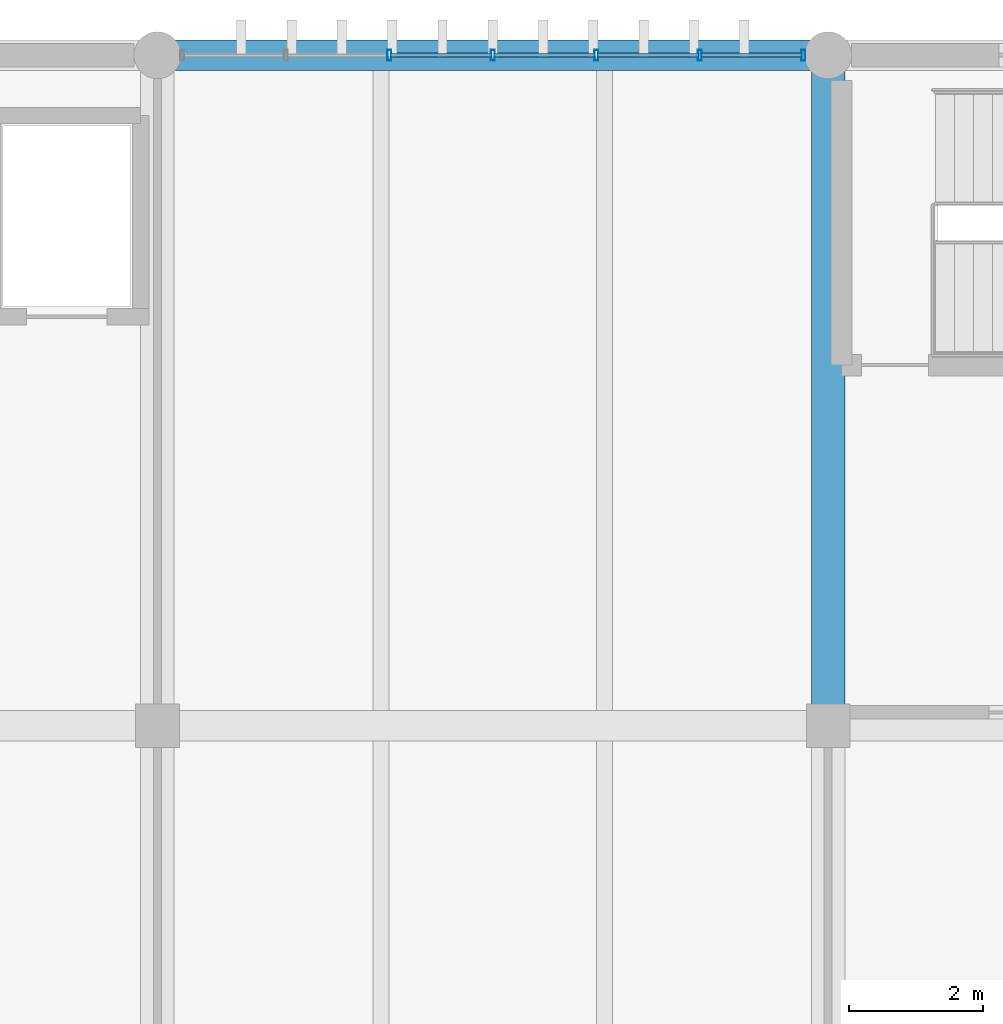
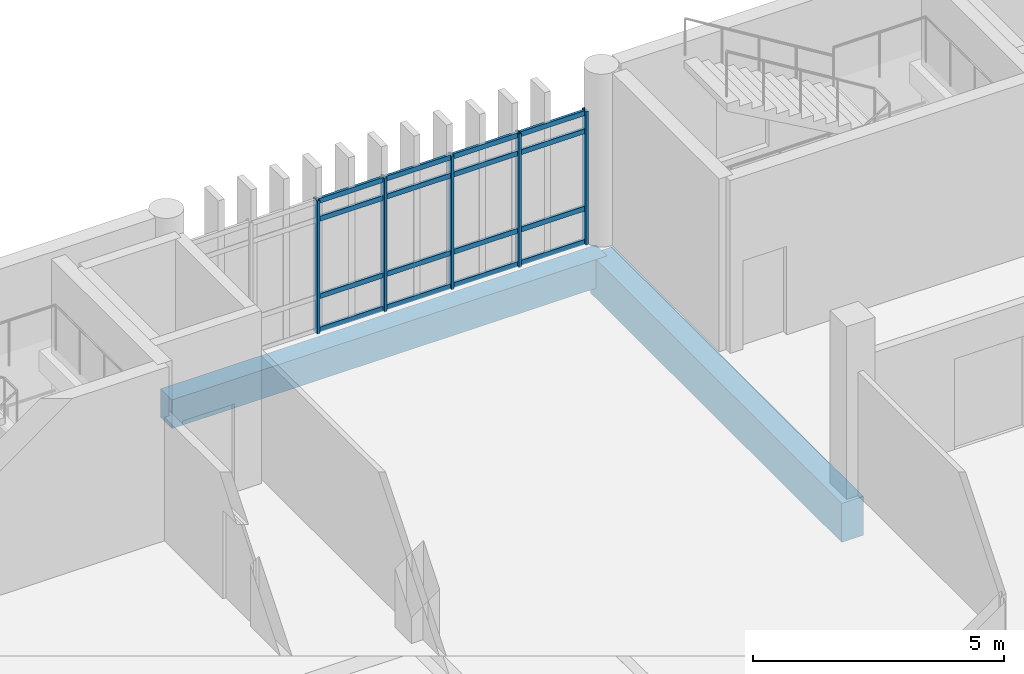
# One storey, part 39 of 82: 21 members, 2 beams, 1 element without a shape of its own.
"""IFC4 building model written with IfcOpenShell, lengths in metres."""

from ifc_helpers import new_model, si_unit, direction, frame, origin, origin_2d, place, context, subcontext, project, spatial, rectangle, hollow_rectangle, extrude, material, layer, layer_set, material_profile, profile_set, type_object, element, aggregate, save


model = new_model("IFC4")

# Units and contexts
model_context = context("Model", 3, precision=1e-05, world=origin(), true_north=direction((0.0, 1.0)))
body_context = subcontext(model_context, "Body", "Model", "MODEL_VIEW")
ifc_project = project(units=[si_unit("LENGTHUNIT", "METRE"), si_unit("AREAUNIT", "SQUARE_METRE"), si_unit("VOLUMEUNIT", "CUBIC_METRE"), si_unit("PLANEANGLEUNIT", "RADIAN"), si_unit("MASSUNIT", "GRAM", prefix="KILO")], contexts=[model_context])

# Site, building, storey
site_placement = place(None, origin())
site = spatial("IfcSite", under=ifc_project, at=site_placement, CompositionType="ELEMENT")
building_placement = place(site_placement, origin())
building = spatial("IfcBuilding", under=site, at=building_placement, Name="Mersad Railyard Sports Hall", CompositionType="ELEMENT")
storey_placement = place(building_placement, frame((0.0, 0.0, 13.199951171875)))
storey = spatial("IfcBuildingStorey", under=building, at=storey_placement, Name="L03", CompositionType="ELEMENT", Elevation=13.199951171875)

# Curtain wall, members
ifc_material_1 = material(Name="Aluminium 6063-T6", Category="aluminium")
ifc_layer = layer(ifc_material_1, 0.159912109375)
ifc_layer_set = layer_set([ifc_layer], Name="Aluminium 6063-T6")
curtain_wall_type = type_object("IfcCurtainWallType", Name="ARC-CW-CW58", PredefinedType="USERDEFINED", material=ifc_layer_set)
curtain_wall_placement = place(storey_placement, origin())
curtain_wall = element("IfcCurtainWall", 1, at=curtain_wall_placement, inside=storey, type_object=curtain_wall_type, Name="Curtain wall CW58-0153", ObjectType="CURTAIN WALL", PredefinedType="USERDEFINED")
ifc_material_profile_1 = material_profile(ifc_material_1, hollow_rectangle(XDim=0.06005859375, YDim=0.159912109375, WallThickness=0.00390625, at=origin_2d()), Name="AL MULLION 60x160x4")
ifc_profile_set_1 = profile_set([ifc_material_profile_1], Name="Aluminium 6063-T6")
member_type_1 = type_object("IfcMemberType", Name="ARC-CW-MUL01", PredefinedType="MULLION", material=ifc_profile_set_1)
member_1_placement = place(storey_placement, frame((104.456787109375, 115.0, -0.02001953125), z_axis=(0.0, 0.0, 1.0), x_axis=(1.0, 0.0, 0.0)))
member_1 = element("IfcMember", 2, at=member_1_placement, type_object=member_type_1, Name="CW58 Mullion 3", PredefinedType="MULLION", context=body_context, shape_type="SweptSolid", body=[
    extrude(hollow_rectangle(XDim=0.06005859375, YDim=0.159912109375, WallThickness=0.00390625, at=origin_2d()), origin(), (0.0, 0.0, 1.0), 3.25),
])
member_2_placement = place(storey_placement, frame((106.0, 115.0, -0.02001953125), z_axis=(0.0, 0.0, 1.0), x_axis=(1.0, 0.0, 0.0)))
member_2 = element("IfcMember", 3, at=member_2_placement, type_object=member_type_1, Name="CW58 Mullion 4", PredefinedType="MULLION", context=body_context, shape_type="SweptSolid", body=[
    extrude(hollow_rectangle(XDim=0.06005859375, YDim=0.159912109375, WallThickness=0.00390625, at=origin_2d()), origin(), (0.0, 0.0, 1.0), 3.25),
])
member_3_placement = place(storey_placement, frame((107.543212890625, 115.0, -0.02001953125), z_axis=(0.0, 0.0, 1.0), x_axis=(1.0, 0.0, 0.0)))
member_3 = element("IfcMember", 4, at=member_3_placement, type_object=member_type_1, Name="CW58 Mullion 5", PredefinedType="MULLION", context=body_context, shape_type="SweptSolid", body=[
    extrude(hollow_rectangle(XDim=0.06005859375, YDim=0.159912109375, WallThickness=0.00390625, at=origin_2d()), origin(), (0.0, 0.0, 1.0), 3.25),
])
member_4_placement = place(storey_placement, frame((109.086669921875, 115.0, -0.02001953125), z_axis=(0.0, 0.0, 1.0), x_axis=(1.0, 0.0, 0.0)))
member_4 = element("IfcMember", 5, at=member_4_placement, type_object=member_type_1, Name="CW58 Mullion 6", PredefinedType="MULLION", context=body_context, shape_type="SweptSolid", body=[
    extrude(hollow_rectangle(XDim=0.06005859375, YDim=0.159912109375, WallThickness=0.00390625, at=origin_2d()), origin(), (0.0, 0.0, 1.0), 3.25),
])
member_5_placement = place(storey_placement, frame((110.6298828125, 115.0, -0.02001953125), z_axis=(0.0, 0.0, 1.0), x_axis=(1.0, 0.0, 0.0)))
member_5 = element("IfcMember", 6, at=member_5_placement, type_object=member_type_1, Name="CW58 Mullion 7", PredefinedType="MULLION", context=body_context, shape_type="SweptSolid", body=[
    extrude(hollow_rectangle(XDim=0.06005859375, YDim=0.159912109375, WallThickness=0.00390625, at=origin_2d()), origin(), (0.0, 0.0, 1.0), 3.25),
])
ifc_material_profile_2 = material_profile(ifc_material_1, hollow_rectangle(XDim=0.06005859375, YDim=0.1201171875, WallThickness=0.00390625, at=origin_2d()), Name="AL TRANSOM 60x120x4")
ifc_profile_set_2 = profile_set([ifc_material_profile_2], Name="Aluminium 6063-T6")
member_type_2 = type_object("IfcMemberType", Name="ARC-CW-TRN01", PredefinedType="USERDEFINED", material=ifc_profile_set_2)
member_6_placement = place(storey_placement, frame((104.4765625, 115.0, 0.0400390625), z_axis=(1.0, 0.0, 0.0), x_axis=(0.0, 1.0, 0.0)))
member_6 = element("IfcMember", 7, at=member_6_placement, type_object=member_type_2, Name="CW58 Transom 1-3", ObjectType="TRANSOM", PredefinedType="USERDEFINED", context=body_context, shape_type="SweptSolid", body=[
    extrude(hollow_rectangle(XDim=0.06005859375, YDim=0.1201171875, WallThickness=0.00390625, at=origin_2d()), origin(), (0.0, 0.0, 1.0), 1.50341796875),
])
member_7_placement = place(storey_placement, frame((106.02001953125, 115.0, 0.0400390625), z_axis=(1.0, 0.0, 0.0), x_axis=(0.0, 1.0, 0.0)))
member_7 = element("IfcMember", 8, at=member_7_placement, type_object=member_type_2, Name="CW58 Transom 1-4", ObjectType="TRANSOM", PredefinedType="USERDEFINED", context=body_context, shape_type="SweptSolid", body=[
    extrude(hollow_rectangle(XDim=0.06005859375, YDim=0.1201171875, WallThickness=0.00390625, at=origin_2d()), origin(), (0.0, 0.0, 1.0), 1.50341796875),
])
member_8_placement = place(storey_placement, frame((107.563232421875, 115.0, 0.0400390625), z_axis=(1.0, 0.0, 0.0), x_axis=(0.0, 1.0, 0.0)))
member_8 = element("IfcMember", 9, at=member_8_placement, type_object=member_type_2, Name="CW58 Transom 1-5", ObjectType="TRANSOM", PredefinedType="USERDEFINED", context=body_context, shape_type="SweptSolid", body=[
    extrude(hollow_rectangle(XDim=0.06005859375, YDim=0.1201171875, WallThickness=0.00390625, at=origin_2d()), origin(), (0.0, 0.0, 1.0), 1.50341796875),
])
member_9_placement = place(storey_placement, frame((109.106689453125, 115.0, 0.0400390625), z_axis=(1.0, 0.0, 0.0), x_axis=(0.0, 1.0, 0.0)))
member_9 = element("IfcMember", 10, at=member_9_placement, type_object=member_type_2, Name="CW58 Transom 1-6", ObjectType="TRANSOM", PredefinedType="USERDEFINED", context=body_context, shape_type="SweptSolid", body=[
    extrude(hollow_rectangle(XDim=0.06005859375, YDim=0.1201171875, WallThickness=0.00390625, at=origin_2d()), origin(), (0.0, 0.0, 1.0), 1.50341796875),
])
member_10_placement = place(storey_placement, frame((104.4765625, 115.0, 0.85009765625), z_axis=(1.0, 0.0, 0.0), x_axis=(0.0, 1.0, 0.0)))
member_10 = element("IfcMember", 11, at=member_10_placement, type_object=member_type_2, Name="CW58 Transom 2-3", ObjectType="TRANSOM", PredefinedType="USERDEFINED", context=body_context, shape_type="SweptSolid", body=[
    extrude(hollow_rectangle(XDim=0.06005859375, YDim=0.1201171875, WallThickness=0.00390625, at=origin_2d()), origin(), (0.0, 0.0, 1.0), 1.50341796875),
])
member_11_placement = place(storey_placement, frame((106.02001953125, 115.0, 0.85009765625), z_axis=(1.0, 0.0, 0.0), x_axis=(0.0, 1.0, 0.0)))
member_11 = element("IfcMember", 12, at=member_11_placement, type_object=member_type_2, Name="CW58 Transom 2-4", ObjectType="TRANSOM", PredefinedType="USERDEFINED", context=body_context, shape_type="SweptSolid", body=[
    extrude(hollow_rectangle(XDim=0.06005859375, YDim=0.1201171875, WallThickness=0.00390625, at=origin_2d()), origin(), (0.0, 0.0, 1.0), 1.50341796875),
])
member_12_placement = place(storey_placement, frame((107.563232421875, 115.0, 0.85009765625), z_axis=(1.0, 0.0, 0.0), x_axis=(0.0, 1.0, 0.0)))
member_12 = element("IfcMember", 13, at=member_12_placement, type_object=member_type_2, Name="CW58 Transom 2-5", ObjectType="TRANSOM", PredefinedType="USERDEFINED", context=body_context, shape_type="SweptSolid", body=[
    extrude(hollow_rectangle(XDim=0.06005859375, YDim=0.1201171875, WallThickness=0.00390625, at=origin_2d()), origin(), (0.0, 0.0, 1.0), 1.50341796875),
])
member_13_placement = place(storey_placement, frame((109.106689453125, 115.0, 0.85009765625), z_axis=(1.0, 0.0, 0.0), x_axis=(0.0, 1.0, 0.0)))
member_13 = element("IfcMember", 14, at=member_13_placement, type_object=member_type_2, Name="CW58 Transom 2-6", ObjectType="TRANSOM", PredefinedType="USERDEFINED", context=body_context, shape_type="SweptSolid", body=[
    extrude(hollow_rectangle(XDim=0.06005859375, YDim=0.1201171875, WallThickness=0.00390625, at=origin_2d()), origin(), (0.0, 0.0, 1.0), 1.50341796875),
])
member_14_placement = place(storey_placement, frame((104.4765625, 115.0, 2.72998046875), z_axis=(1.0, 0.0, 0.0), x_axis=(0.0, 1.0, 0.0)))
member_14 = element("IfcMember", 15, at=member_14_placement, type_object=member_type_2, Name="CW58 Transom 3-3", ObjectType="TRANSOM", PredefinedType="USERDEFINED", context=body_context, shape_type="SweptSolid", body=[
    extrude(hollow_rectangle(XDim=0.06005859375, YDim=0.1201171875, WallThickness=0.00390625, at=origin_2d()), origin(), (0.0, 0.0, 1.0), 1.50341796875),
])
member_15_placement = place(storey_placement, frame((106.02001953125, 115.0, 2.72998046875), z_axis=(1.0, 0.0, 0.0), x_axis=(0.0, 1.0, 0.0)))
member_15 = element("IfcMember", 16, at=member_15_placement, type_object=member_type_2, Name="CW58 Transom 3-4", ObjectType="TRANSOM", PredefinedType="USERDEFINED", context=body_context, shape_type="SweptSolid", body=[
    extrude(hollow_rectangle(XDim=0.06005859375, YDim=0.1201171875, WallThickness=0.00390625, at=origin_2d()), origin(), (0.0, 0.0, 1.0), 1.50341796875),
])
member_16_placement = place(storey_placement, frame((107.563232421875, 115.0, 2.72998046875), z_axis=(1.0, 0.0, 0.0), x_axis=(0.0, 1.0, 0.0)))
member_16 = element("IfcMember", 17, at=member_16_placement, type_object=member_type_2, Name="CW58 Transom 3-5", ObjectType="TRANSOM", PredefinedType="USERDEFINED", context=body_context, shape_type="SweptSolid", body=[
    extrude(hollow_rectangle(XDim=0.06005859375, YDim=0.1201171875, WallThickness=0.00390625, at=origin_2d()), origin(), (0.0, 0.0, 1.0), 1.50341796875),
])
member_17_placement = place(storey_placement, frame((109.106689453125, 115.0, 2.72998046875), z_axis=(1.0, 0.0, 0.0), x_axis=(0.0, 1.0, 0.0)))
member_17 = element("IfcMember", 18, at=member_17_placement, type_object=member_type_2, Name="CW58 Transom 3-6", ObjectType="TRANSOM", PredefinedType="USERDEFINED", context=body_context, shape_type="SweptSolid", body=[
    extrude(hollow_rectangle(XDim=0.06005859375, YDim=0.1201171875, WallThickness=0.00390625, at=origin_2d()), origin(), (0.0, 0.0, 1.0), 1.50341796875),
])
member_18_placement = place(storey_placement, frame((104.4765625, 115.0, 3.170166015625), z_axis=(1.0, 0.0, 0.0), x_axis=(0.0, 1.0, 0.0)))
member_18 = element("IfcMember", 19, at=member_18_placement, type_object=member_type_2, Name="CW58 Transom 4-3", ObjectType="TRANSOM", PredefinedType="USERDEFINED", context=body_context, shape_type="SweptSolid", body=[
    extrude(hollow_rectangle(XDim=0.06005859375, YDim=0.1201171875, WallThickness=0.00390625, at=origin_2d()), origin(), (0.0, 0.0, 1.0), 1.50341796875),
])
member_19_placement = place(storey_placement, frame((106.02001953125, 115.0, 3.170166015625), z_axis=(1.0, 0.0, 0.0), x_axis=(0.0, 1.0, 0.0)))
member_19 = element("IfcMember", 20, at=member_19_placement, type_object=member_type_2, Name="CW58 Transom 4-4", ObjectType="TRANSOM", PredefinedType="USERDEFINED", context=body_context, shape_type="SweptSolid", body=[
    extrude(hollow_rectangle(XDim=0.06005859375, YDim=0.1201171875, WallThickness=0.00390625, at=origin_2d()), origin(), (0.0, 0.0, 1.0), 1.50341796875),
])
member_20_placement = place(storey_placement, frame((107.563232421875, 115.0, 3.170166015625), z_axis=(1.0, 0.0, 0.0), x_axis=(0.0, 1.0, 0.0)))
member_20 = element("IfcMember", 21, at=member_20_placement, type_object=member_type_2, Name="CW58 Transom 4-5", ObjectType="TRANSOM", PredefinedType="USERDEFINED", context=body_context, shape_type="SweptSolid", body=[
    extrude(hollow_rectangle(XDim=0.06005859375, YDim=0.1201171875, WallThickness=0.00390625, at=origin_2d()), origin(), (0.0, 0.0, 1.0), 1.50341796875),
])
member_21_placement = place(storey_placement, frame((109.106689453125, 115.0, 3.170166015625), z_axis=(1.0, 0.0, 0.0), x_axis=(0.0, 1.0, 0.0)))
member_21 = element("IfcMember", 22, at=member_21_placement, type_object=member_type_2, Name="CW58 Transom 4-6", ObjectType="TRANSOM", PredefinedType="USERDEFINED", context=body_context, shape_type="SweptSolid", body=[
    extrude(hollow_rectangle(XDim=0.06005859375, YDim=0.1201171875, WallThickness=0.00390625, at=origin_2d()), origin(), (0.0, 0.0, 1.0), 1.50341796875),
])
aggregate(curtain_wall, [member_1, member_2, member_3, member_4, member_5, member_6, member_7, member_8, member_9, member_10, member_11, member_12, member_13, member_14, member_15, member_16, member_17, member_18, member_19, member_20, member_21])

# Beams
ifc_material_2 = material(Name="Concrete C50/60", Category="concrete")
ifc_material_profile_3 = material_profile(ifc_material_2, rectangle(XDim=0.5, YDim=0.949951171875, at=origin_2d()), Name="RC 500x950")
ifc_profile_set_3 = profile_set([ifc_material_profile_3], Name="Concrete C50/60")
beam_type_1 = type_object("IfcBeamType", Name="STR-BM-B03", PredefinedType="BEAM", material=ifc_profile_set_3)
beam_1_placement = place(storey_placement, frame((111.0, 105.0, -0.794921875), z_axis=(0.0, 1.0, 0.0), x_axis=(-1.0, 0.0, 0.0)))
element("IfcBeam", 23, at=beam_1_placement, inside=storey, type_object=beam_type_1, Name="Beam B03-1264", PredefinedType="BEAM", context=body_context, shape_type="SweptSolid", body=[
    extrude(rectangle(XDim=0.5, YDim=0.949951171875, at=origin_2d()), origin(), (0.0, 0.0, 1.0), 10.0),
])
ifc_material_3 = material(Name="Architectural concrete C40/50", Category="concrete")
ifc_material_profile_4 = material_profile(ifc_material_3, rectangle(XDim=0.449951171875, YDim=0.699951171875, at=origin_2d()), Name="RC 450x700")
ifc_profile_set_4 = profile_set([ifc_material_profile_4], Name="Architectural concrete C40/50")
beam_type_2 = type_object("IfcBeamType", Name="STR-BM-SP01", PredefinedType="SPANDREL", material=ifc_profile_set_4)
beam_2_placement = place(storey_placement, frame((101.0, 115.0, -0.669921875), z_axis=(1.0, 0.0, 0.0), x_axis=(0.0, 1.0, 0.0)))
element("IfcBeam", 24, at=beam_2_placement, inside=storey, type_object=beam_type_2, Name="Beam SP01-1241", PredefinedType="SPANDREL", context=body_context, shape_type="SweptSolid", body=[
    extrude(rectangle(XDim=0.449951171875, YDim=0.699951171875, at=origin_2d()), origin(), (0.0, 0.0, 1.0), 10.0),
])

save(model, "model.ifc")
